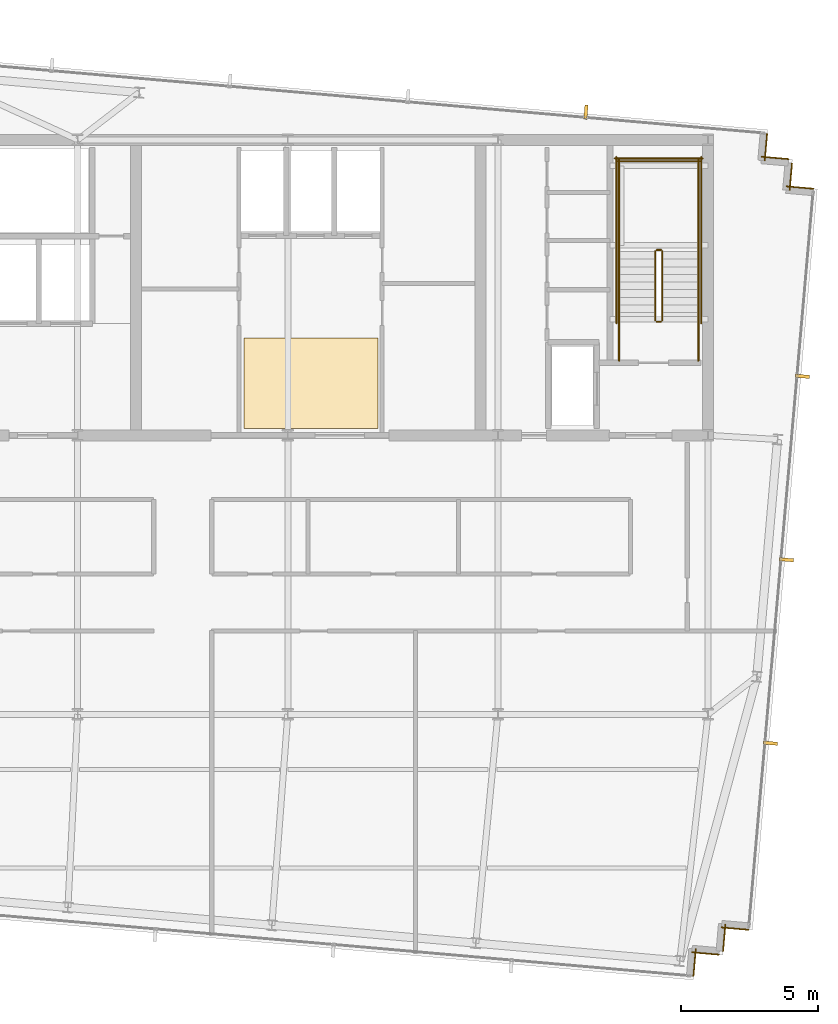
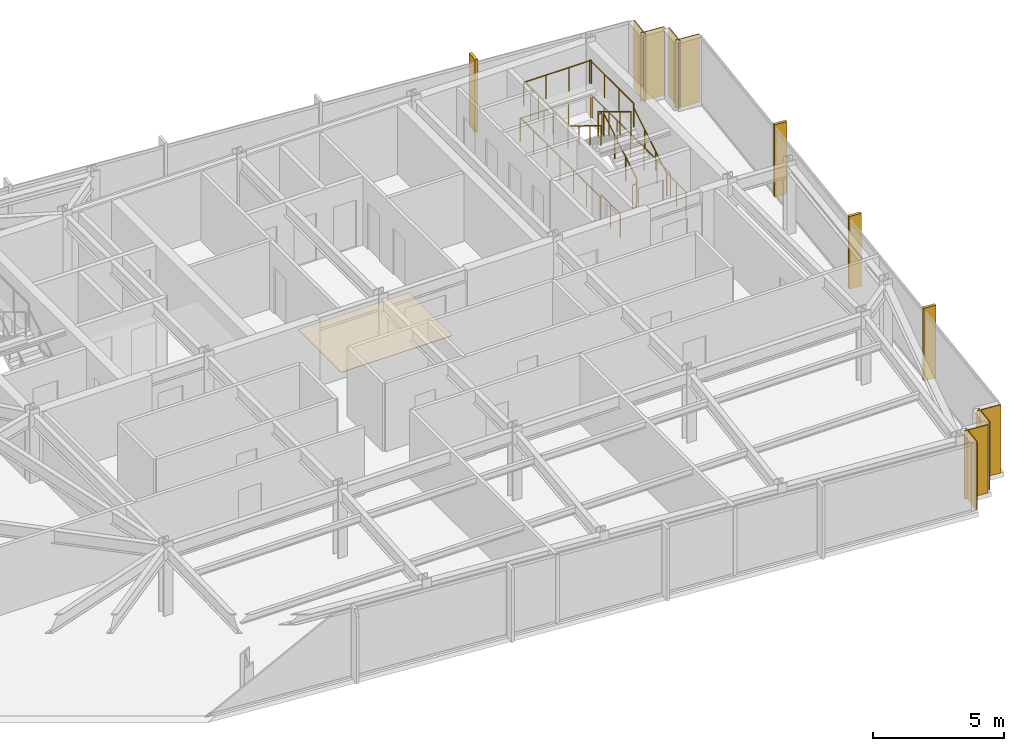
# One storey, part 31 of 32: 14 railings, 9 coverings, 4 shading devices.
"""IFC4 building model written with IfcOpenShell, lengths in metres."""

from ifc_helpers import new_model, si_unit, direction, frame, frame_2d, origin, origin_2d, place, context, subcontext, project, spatial, polyline, rectangle, circle, outline, extrude, material, layer, layer_set, type_object, element, save


model = new_model("IFC4")

# Units and contexts
model_context = context("Model", 3, precision=1e-05, world=origin(), true_north=direction((0.0, 1.0)))
body_context = subcontext(model_context, "Body", "Model", "MODEL_VIEW")
ifc_project = project(units=[si_unit("LENGTHUNIT", "METRE"), si_unit("AREAUNIT", "SQUARE_METRE"), si_unit("VOLUMEUNIT", "CUBIC_METRE"), si_unit("PLANEANGLEUNIT", "RADIAN"), si_unit("MASSUNIT", "GRAM", prefix="KILO")], contexts=[model_context])

# Site, building, storey
site_placement = place(None, origin())
site = spatial("IfcSite", under=ifc_project, at=site_placement, CompositionType="ELEMENT")
building_placement = place(site_placement, origin())
building = spatial("IfcBuilding", under=site, at=building_placement, Name="Yelkora Congress Tower", CompositionType="ELEMENT")
storey_placement = place(building_placement, frame((0.0, 0.0, 265.89990234375)))
storey = spatial("IfcBuildingStorey", under=building, at=storey_placement, Name="L74", CompositionType="ELEMENT", Elevation=265.89990234375)

# Coverings
ifc_material_1 = material(Name="Anatolian bush-hammered limestone", Category="masonry")
ifc_layer_1 = layer(ifc_material_1, 0.0400390625)
ifc_layer_set_1 = layer_set([ifc_layer_1], Name="Anatolian bush-hammered limestone")
covering_type_1 = type_object("IfcCoveringType", Name="COV-CLAD-SPANDREL-40", PredefinedType="CLADDING", material=ifc_layer_set_1)
for number, where, z_axis, x_axis, name in (
    (1, (55.92041015625, 46.431396484375, 0.0), (0.0, 0.0, 1.0), (-0.086903493655, -0.996216734848, 0.0), "L74 Anatolian Limestone Cladding EW-L74-SR11"),
    (2, (55.710693359375, 45.581298828125, 0.0), (0.0, 0.0, 1.0), (0.996193717496, -0.087166950281, 0.0), "L74 Anatolian Limestone Cladding EW-L74-SR12"),
    (3, (56.82958984375, 45.347900390625, 0.0), (0.0, 0.0, 1.0), (-0.087166950281, -0.996193717496, 0.0), "L74 Anatolian Limestone Cladding EW-L74-SR13"),
):
    element("IfcCovering", number, at=place(storey_placement, frame(where, z_axis=z_axis, x_axis=x_axis)), inside=storey, type_object=covering_type_1, Name=name, PredefinedType="CLADDING", context=body_context, shape_type="SweptSolid", body=[
        extrude(rectangle(XDim=1.0, YDim=0.0400390625, at=frame_2d((0.5, 0.0))), origin(), (0.0, 0.0, 1.0), 3.18017578125),
    ])
covering_1_placement = place(storey_placement, frame((56.61962890625, 44.498046875, 0.0), z_axis=(0.0, 0.0, 1.0), x_axis=(0.996195572005, -0.087145753297, 0.0)))
element("IfcCovering", 4, at=covering_1_placement, inside=storey, type_object=covering_type_1, Name="L74 Anatolian Limestone Cladding EW-L74-SR14", PredefinedType="CLADDING", context=body_context, shape_type="SweptSolid", body=[
    extrude(rectangle(XDim=1.000244140625, YDim=0.0400390625, at=frame_2d((0.5, 0.0))), origin(), (0.0, 0.0, 1.0), 3.18017578125),
])
for number, where, z_axis, x_axis, name in (
    (5, (55.24609375, 17.32421875, 0.0), (0.0, 0.0, 1.0), (-0.99617248636, 0.08740925248, 0.0), "L74 Anatolian Limestone Cladding EW-L74-SR16"),
    (6, (54.396240234375, 17.5341796875, 0.0), (0.0, 0.0, 1.0), (-0.087166950281, -0.996193717496, 0.0), "L74 Anatolian Limestone Cladding EW-L74-SR17"),
):
    element("IfcCovering", number, at=place(storey_placement, frame(where, z_axis=z_axis, x_axis=x_axis)), inside=storey, type_object=covering_type_1, Name=name, PredefinedType="CLADDING", context=body_context, shape_type="SweptSolid", body=[
        extrude(rectangle(XDim=1.0, YDim=0.0400390625, at=frame_2d((0.5, 0.0))), origin(), (0.0, 0.0, 1.0), 3.18017578125),
    ])
covering_2_placement = place(storey_placement, frame((54.162841796875, 16.415283203125, 0.0), z_axis=(0.0, 0.0, 1.0), x_axis=(-0.996195572005, 0.087145753297, 0.0)))
element("IfcCovering", 7, at=covering_2_placement, inside=storey, type_object=covering_type_1, Name="L74 Anatolian Limestone Cladding EW-L74-SR18", PredefinedType="CLADDING", context=body_context, shape_type="SweptSolid", body=[
    extrude(rectangle(XDim=1.000244140625, YDim=0.0400390625, at=frame_2d((0.5, 0.0))), origin(), (0.0, 0.0, 1.0), 3.18017578125),
])
covering_3_placement = place(storey_placement, frame((53.312744140625, 16.625, 0.0), z_axis=(0.0, 0.0, 1.0), x_axis=(-0.087166950281, -0.996193717496, 0.0)))
element("IfcCovering", 8, at=covering_3_placement, inside=storey, type_object=covering_type_1, Name="L74 Anatolian Limestone Cladding EW-L74-SR19", PredefinedType="CLADDING", context=body_context, shape_type="SweptSolid", body=[
    extrude(rectangle(XDim=1.0, YDim=0.0400390625, at=frame_2d((0.5, 0.0))), origin(), (0.0, 0.0, 1.0), 3.18017578125),
])
ifc_material_2 = material(Name="Polished Anatolian grey granite tile", Category="masonry")
ifc_layer_2 = layer(ifc_material_2, 0.02001953125)
ifc_layer_set_2 = layer_set([ifc_layer_2], Name="Polished Anatolian grey granite tile")
covering_type_2 = type_object("IfcCoveringType", Name="COV-FLOOR-GRANITE-20", PredefinedType="FLOORING", material=ifc_layer_set_2)
covering_4_placement = place(storey_placement, origin())
element("IfcCovering", 9, at=covering_4_placement, inside=storey, type_object=covering_type_2, Name="L74 Lift Lobby Granite Flooring", PredefinedType="FLOORING", context=body_context, shape_type="SweptSolid", body=[
    extrude(outline(polyline([(36.800048828125, 35.64990234375), (41.699951171875, 35.64990234375), (41.699951171875, 38.949951171875), (36.800048828125, 38.949951171875), (36.800048828125, 35.64990234375)])), origin(), (0.0, 0.0, 1.0), 0.02001953125),
])

# Railings
ifc_material_3 = material(Name="Painted galvanised steel stair well guard with vertical infill", Category="steel")
ifc_layer_3 = layer(ifc_material_3, 0.06005859375)
ifc_layer_set_3 = layer_set([ifc_layer_3], Name="Painted galvanised steel stair well guard with vertical infill")
railing_type_1 = type_object("IfcRailingType", Name="RAIL-STAIR-GUARD-1120", PredefinedType="GUARDRAIL", material=ifc_layer_set_3)
railing_1_placement = place(storey_placement, frame((52.090087890625, 39.60009765625, 0.170166015625)))
element("IfcRailing", 10, at=railing_1_placement, inside=storey, type_object=railing_type_1, Name="ST-02 L74 Stair Well Guardrail 1", PredefinedType="GUARDRAIL", context=body_context, shape_type="SweptSolid", body=[
    extrude(circle(Radius=0.02392578125, at=origin_2d()), frame((0.0, 0.0, 1.09619140625), z_axis=(0.0, 0.85478489116, 0.518982456201), x_axis=(-1.0, 0.0, 0.0)), (0.0, 0.0, 1.0), 2.9482421875),
    extrude(circle(Radius=0.02099609375, at=origin_2d()), origin(), (0.0, 0.0, 1.0), 1.072021484375),
    extrude(circle(Radius=0.02099609375, at=origin_2d()), frame((0.0, 0.840087890625, 0.510009765625)), (0.0, 0.0, 1.0), 1.072021484375),
    extrude(circle(Radius=0.02099609375, at=origin_2d()), frame((0.0, 1.679931640625, 1.02001953125)), (0.0, 0.0, 1.0), 1.072021484375),
    extrude(circle(Radius=0.02099609375, at=origin_2d()), frame((0.0, 2.52001953125, 1.530029296875)), (0.0, 0.0, 1.0), 1.072021484375),
])
railing_2_placement = place(storey_placement, frame((52.0400390625, 42.169921875, 1.7001953125)))
element("IfcRailing", 11, at=railing_2_placement, inside=storey, type_object=railing_type_1, Name="ST-02 L74 Stair Well Guardrail 2", PredefinedType="GUARDRAIL", context=body_context, shape_type="SweptSolid", body=[
    extrude(circle(Radius=0.02392578125, at=origin_2d()), frame((0.0, 0.0, 1.09619140625), z_axis=(-1.0, 0.0, 0.0), x_axis=(0.0, -1.0, 0.0)), (0.0, 0.0, 1.0), 0.16015625),
    extrude(circle(Radius=0.02099609375, at=origin_2d()), origin(), (0.0, 0.0, 1.0), 1.072021484375),
    extrude(circle(Radius=0.02099609375, at=origin_2d()), frame((-0.16015625, 0.0, 0.0)), (0.0, 0.0, 1.0), 1.072021484375),
])
for number, where, name in (
    (12, (53.409912109375, 42.1201171875, 1.7001953125), "ST-02 L74 Stair Well Guardrail 3"),
    (13, (50.510009765625, 42.1201171875, 1.7001953125), "ST-02 L74 Stair Well Guardrail 4"),
):
    element("IfcRailing", number, at=place(storey_placement, frame(where)), inside=storey, type_object=railing_type_1, Name=name, PredefinedType="GUARDRAIL", context=body_context, shape_type="SweptSolid", body=[
        extrude(circle(Radius=0.02392578125, at=origin_2d()), frame((0.0, 0.0, 1.09619140625), z_axis=(0.0, 1.0, 0.0), x_axis=(-1.0, 0.0, 0.0)), (0.0, 0.0, 1.0), 3.349853515625),
        extrude(circle(Radius=0.02099609375, at=origin_2d()), origin(), (0.0, 0.0, 1.0), 1.072021484375),
        extrude(circle(Radius=0.02099609375, at=origin_2d()), frame((0.0, 1.11669921875, 0.0)), (0.0, 0.0, 1.0), 1.072021484375),
        extrude(circle(Radius=0.02099609375, at=origin_2d()), frame((0.0, 2.233154296875, 0.0)), (0.0, 0.0, 1.0), 1.072021484375),
        extrude(circle(Radius=0.02099609375, at=origin_2d()), frame((0.0, 3.349853515625, 0.0)), (0.0, 0.0, 1.0), 1.072021484375),
    ])
railing_3_placement = place(storey_placement, frame((53.4599609375, 45.419921875, 1.7001953125)))
element("IfcRailing", 14, at=railing_3_placement, inside=storey, type_object=railing_type_1, Name="ST-02 L74 Stair Well Guardrail 5", PredefinedType="GUARDRAIL", context=body_context, shape_type="SweptSolid", body=[
    extrude(circle(Radius=0.02392578125, at=origin_2d()), frame((0.0, 0.0, 1.09619140625), z_axis=(-1.0, 0.0, 0.0), x_axis=(0.0, -1.0, 0.0)), (0.0, 0.0, 1.0), 3.0),
    extrude(circle(Radius=0.02099609375, at=origin_2d()), origin(), (0.0, 0.0, 1.0), 1.072021484375),
    extrude(circle(Radius=0.02099609375, at=origin_2d()), frame((-1.0, 0.0, 0.0)), (0.0, 0.0, 1.0), 1.072021484375),
    extrude(circle(Radius=0.02099609375, at=origin_2d()), frame((-2.0, 0.0, 0.0)), (0.0, 0.0, 1.0), 1.072021484375),
    extrude(circle(Radius=0.02099609375, at=origin_2d()), frame((-3.0, 0.0, 0.0)), (0.0, 0.0, 1.0), 1.072021484375),
])
railing_4_placement = place(storey_placement, frame((51.830078125, 42.1201171875, 1.8701171875)))
element("IfcRailing", 15, at=railing_4_placement, inside=storey, type_object=railing_type_1, Name="ST-02 L74 Stair Well Guardrail 6", PredefinedType="GUARDRAIL", context=body_context, shape_type="SweptSolid", body=[
    extrude(circle(Radius=0.02392578125, at=origin_2d()), frame((0.0, 0.0, 1.09619140625), z_axis=(0.0, -0.85478489116, 0.518982456201), x_axis=(1.0, 0.0, 0.0)), (0.0, 0.0, 1.0), 2.9482421875),
    extrude(circle(Radius=0.02099609375, at=origin_2d()), origin(), (0.0, 0.0, 1.0), 1.072021484375),
    extrude(circle(Radius=0.02099609375, at=origin_2d()), frame((0.0, -0.840087890625, 0.510009765625)), (0.0, 0.0, 1.0), 1.072021484375),
    extrude(circle(Radius=0.02099609375, at=origin_2d()), frame((0.0, -1.679931640625, 1.02001953125)), (0.0, 0.0, 1.0), 1.072021484375),
    extrude(circle(Radius=0.02099609375, at=origin_2d()), frame((0.0, -2.52001953125, 1.530029296875)), (0.0, 0.0, 1.0), 1.072021484375),
])
railing_5_placement = place(storey_placement, frame((52.0400390625, 39.550048828125, 0.0)))
element("IfcRailing", 16, at=railing_5_placement, inside=storey, type_object=railing_type_1, Name="ST-02 L74 Stair Well Guardrail 7", PredefinedType="GUARDRAIL", context=body_context, shape_type="SweptSolid", body=[
    extrude(circle(Radius=0.02392578125, at=origin_2d()), frame((0.0, 0.0, 1.09619140625), z_axis=(-1.0, 0.0, 0.0), x_axis=(0.0, -1.0, 0.0)), (0.0, 0.0, 1.0), 0.16015625),
    extrude(circle(Radius=0.02099609375, at=origin_2d()), origin(), (0.0, 0.0, 1.0), 1.072021484375),
    extrude(circle(Radius=0.02099609375, at=origin_2d()), frame((-0.16015625, 0.0, 0.0)), (0.0, 0.0, 1.0), 1.072021484375),
])
for number, where, name in (
    (17, (53.409912109375, 38.1201171875, 0.0), "ST-02 L74 Stair Well Guardrail 8"),
    (18, (50.510009765625, 38.1201171875, 0.0), "ST-02 L74 Stair Well Guardrail 9"),
):
    element("IfcRailing", number, at=place(storey_placement, frame(where)), inside=storey, type_object=railing_type_1, Name=name, PredefinedType="GUARDRAIL", context=body_context, shape_type="SweptSolid", body=[
        extrude(circle(Radius=0.02392578125, at=origin_2d()), frame((0.0, 0.0, 1.09619140625), z_axis=(0.0, 1.0, 0.0), x_axis=(-1.0, 0.0, 0.0)), (0.0, 0.0, 1.0), 1.47998046875),
        extrude(circle(Radius=0.02099609375, at=origin_2d()), origin(), (0.0, 0.0, 1.0), 1.072021484375),
        extrude(circle(Radius=0.02099609375, at=origin_2d()), frame((0.0, 0.739990234375, 0.0)), (0.0, 0.0, 1.0), 1.072021484375),
        extrude(circle(Radius=0.02099609375, at=origin_2d()), frame((0.0, 1.47998046875, 0.0)), (0.0, 0.0, 1.0), 1.072021484375),
    ])
for number, where, name in (
    (19, (53.510009765625, 39.5, 0.0), "ST-02 L74 Stair Well Guardrail 10"),
    (20, (50.409912109375, 39.5, 0.0), "ST-02 L74 Stair Well Guardrail 11"),
):
    element("IfcRailing", number, at=place(storey_placement, frame(where)), inside=storey, type_object=railing_type_1, Name=name, PredefinedType="GUARDRAIL", context=body_context, shape_type="SweptSolid", body=[
        extrude(circle(Radius=0.02392578125, at=origin_2d()), frame((0.0, 0.0, 1.09619140625), z_axis=(0.0, 1.0, 0.0), x_axis=(-1.0, 0.0, 0.0)), (0.0, 0.0, 1.0), 6.070068359375),
        extrude(circle(Radius=0.02099609375, at=origin_2d()), origin(), (0.0, 0.0, 1.0), 1.072021484375),
        extrude(circle(Radius=0.02099609375, at=origin_2d()), frame((0.0, 1.01171875, 0.0)), (0.0, 0.0, 1.0), 1.072021484375),
        extrude(circle(Radius=0.02099609375, at=origin_2d()), frame((0.0, 2.0234375, 0.0)), (0.0, 0.0, 1.0), 1.072021484375),
        extrude(circle(Radius=0.02099609375, at=origin_2d()), frame((0.0, 3.03515625, 0.0)), (0.0, 0.0, 1.0), 1.072021484375),
        extrude(circle(Radius=0.02099609375, at=origin_2d()), frame((0.0, 4.046630859375, 0.0)), (0.0, 0.0, 1.0), 1.072021484375),
        extrude(circle(Radius=0.02099609375, at=origin_2d()), frame((0.0, 5.058349609375, 0.0)), (0.0, 0.0, 1.0), 1.072021484375),
        extrude(circle(Radius=0.02099609375, at=origin_2d()), frame((0.0, 6.070068359375, 0.0)), (0.0, 0.0, 1.0), 1.072021484375),
    ])
railing_6_placement = place(storey_placement, frame((53.56005859375, 45.52001953125, 0.0)))
element("IfcRailing", 21, at=railing_6_placement, inside=storey, type_object=railing_type_1, Name="ST-02 L74 Stair Well Guardrail 12", PredefinedType="GUARDRAIL", context=body_context, shape_type="SweptSolid", body=[
    extrude(circle(Radius=0.02392578125, at=origin_2d()), frame((0.0, 0.0, 1.09619140625), z_axis=(-1.0, 0.0, 0.0), x_axis=(0.0, -1.0, 0.0)), (0.0, 0.0, 1.0), 3.199951171875),
    extrude(circle(Radius=0.02099609375, at=origin_2d()), origin(), (0.0, 0.0, 1.0), 1.072021484375),
    extrude(circle(Radius=0.02099609375, at=origin_2d()), frame((-1.066650390625, 0.0, 0.0)), (0.0, 0.0, 1.0), 1.072021484375),
    extrude(circle(Radius=0.02099609375, at=origin_2d()), frame((-2.13330078125, 0.0, 0.0)), (0.0, 0.0, 1.0), 1.072021484375),
    extrude(circle(Radius=0.02099609375, at=origin_2d()), frame((-3.199951171875, 0.0, 0.0)), (0.0, 0.0, 1.0), 1.072021484375),
])
ifc_material_4 = material(Name="Brushed stainless steel tubular handrail", Category="steel")
ifc_layer_4 = layer(ifc_material_4, 0.050048828125)
ifc_layer_set_4 = layer_set([ifc_layer_4], Name="Brushed stainless steel tubular handrail")
railing_type_2 = type_object("IfcRailingType", Name="RAIL-STAIR-HAND-920", PredefinedType="HANDRAIL", material=ifc_layer_set_4)
railing_7_placement = place(storey_placement, frame((53.409912109375, 39.60009765625, 0.170166015625)))
element("IfcRailing", 22, at=railing_7_placement, inside=storey, type_object=railing_type_2, Name="ST-02 L74 Pitch Handrail 1", PredefinedType="HANDRAIL", context=body_context, shape_type="SweptSolid", body=[
    extrude(circle(Radius=0.02392578125, at=origin_2d()), frame((0.0, 0.0, 0.89599609375), z_axis=(0.0, 0.85478489116, 0.518982456201), x_axis=(-1.0, 0.0, 0.0)), (0.0, 0.0, 1.0), 2.9482421875),
    extrude(circle(Radius=0.02099609375, at=origin_2d()), origin(), (0.0, 0.0, 1.0), 0.871826171875),
    extrude(circle(Radius=0.02099609375, at=origin_2d()), frame((0.0, 0.840087890625, 0.510009765625)), (0.0, 0.0, 1.0), 0.871826171875),
    extrude(circle(Radius=0.02099609375, at=origin_2d()), frame((0.0, 1.679931640625, 1.02001953125)), (0.0, 0.0, 1.0), 0.871826171875),
    extrude(circle(Radius=0.02099609375, at=origin_2d()), frame((0.0, 2.52001953125, 1.530029296875)), (0.0, 0.0, 1.0), 0.871826171875),
])
railing_8_placement = place(storey_placement, frame((50.510009765625, 42.1201171875, 1.8701171875)))
element("IfcRailing", 23, at=railing_8_placement, inside=storey, type_object=railing_type_2, Name="ST-02 L74 Pitch Handrail 2", PredefinedType="HANDRAIL", context=body_context, shape_type="SweptSolid", body=[
    extrude(circle(Radius=0.02392578125, at=origin_2d()), frame((0.0, 0.0, 0.89599609375), z_axis=(0.0, -0.85478489116, 0.518982456201), x_axis=(1.0, 0.0, 0.0)), (0.0, 0.0, 1.0), 2.9482421875),
    extrude(circle(Radius=0.02099609375, at=origin_2d()), origin(), (0.0, 0.0, 1.0), 0.871826171875),
    extrude(circle(Radius=0.02099609375, at=origin_2d()), frame((0.0, -0.840087890625, 0.510009765625)), (0.0, 0.0, 1.0), 0.871826171875),
    extrude(circle(Radius=0.02099609375, at=origin_2d()), frame((0.0, -1.679931640625, 1.02001953125)), (0.0, 0.0, 1.0), 0.871826171875),
    extrude(circle(Radius=0.02099609375, at=origin_2d()), frame((0.0, -2.52001953125, 1.530029296875)), (0.0, 0.0, 1.0), 0.871826171875),
])

# Shading devices
ifc_material_5 = material(Name="Champagne anodised aluminium", Category="aluminium")
ifc_layer_5 = layer(ifc_material_5, 3.300048828125)
ifc_layer_set_5 = layer_set([ifc_layer_5], Name="Champagne anodised aluminium")
shading_device_type = type_object("IfcShadingDeviceType", Name="SHD-FIN-ALU-520", PredefinedType="USERDEFINED", material=ifc_layer_set_5)
for number, where, z_axis, x_axis, name in (
    (24, (49.296875, 47.21142578125, -0.02978515625), (0.0, 0.0, 1.0), (0.996194698092, -0.087155742748, 0.0), "L74 Vertical Anodised Solar Fin 10-6"),
    (25, (57.216796875, 37.554443359375, -0.02978515625), (0.0, 0.0, 1.0), (-0.087155742748, -0.996194698092, 0.0), "L74 Vertical Anodised Solar Fin 15-1"),
    (26, (56.630126953125, 30.85009765625, -0.02978515625), (0.0, 0.0, 1.0), (-0.087155742748, -0.996194698092, 0.0), "L74 Vertical Anodised Solar Fin 15-2"),
    (27, (56.043701171875, 24.145751953125, -0.02978515625), (0.0, 0.0, 1.0), (-0.087155742748, -0.996194698092, 0.0), "L74 Vertical Anodised Solar Fin 15-3"),
):
    element("IfcShadingDevice", number, at=place(storey_placement, frame(where, z_axis=z_axis, x_axis=x_axis)), inside=storey, type_object=shading_device_type, Name=name, ObjectType="FIN", PredefinedType="USERDEFINED", context=body_context, shape_type="SweptSolid", body=[
        extrude(rectangle(XDim=0.1201171875, YDim=0.52001953125, at=origin_2d()), origin(), (0.0, 0.0, 1.0), 3.3798828125),
    ])

save(model, "model.ifc")
